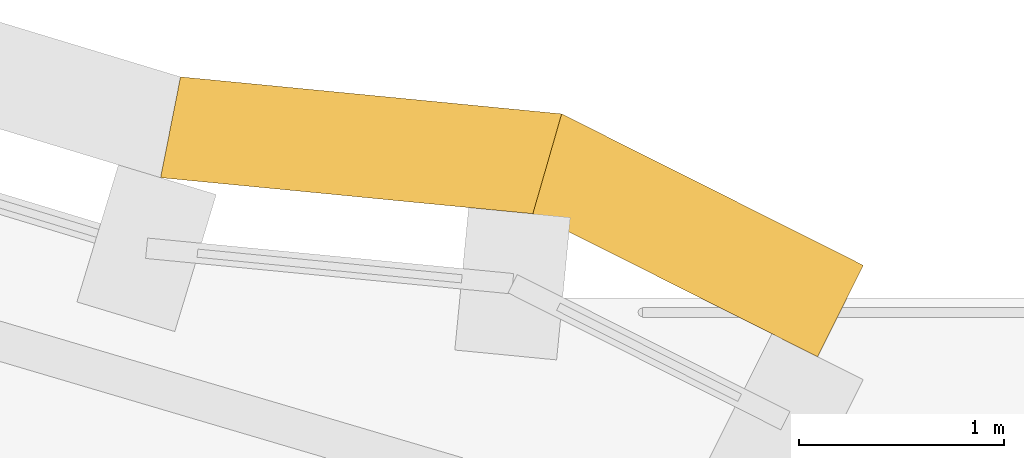
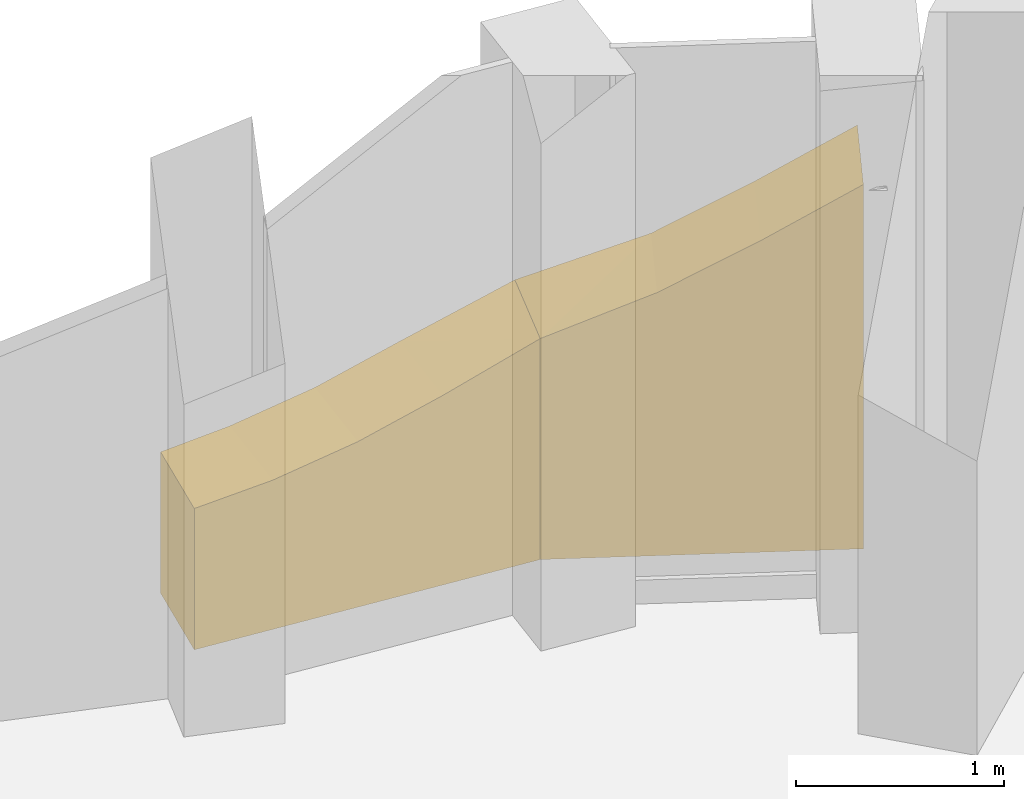
# One storey, part 9 of 9: 2 coverings.
"""IFC4 building model written with IfcOpenShell, lengths in metres."""

from ifc_helpers import new_model, si_unit, direction, frame, origin, place, context, subcontext, project, spatial, faceted_brep, material, layer, layer_set, type_object, element, save


model = new_model("IFC4")

# Units and contexts
model_context = context("Model", 3, precision=1e-05, world=origin(), true_north=direction((0.0, 1.0)))
body_context = subcontext(model_context, "Body", "Model", "MODEL_VIEW")
ifc_project = project(units=[si_unit("LENGTHUNIT", "METRE"), si_unit("AREAUNIT", "SQUARE_METRE"), si_unit("VOLUMEUNIT", "CUBIC_METRE"), si_unit("PLANEANGLEUNIT", "RADIAN"), si_unit("MASSUNIT", "GRAM", prefix="KILO")], contexts=[model_context])

# Site, building, storey
site_placement = place(None, origin())
site = spatial("IfcSite", under=ifc_project, at=site_placement, CompositionType="ELEMENT")
building_placement = place(site_placement, origin())
building = spatial("IfcBuilding", under=site, at=building_placement, Name="Plateau Cross Towers", CompositionType="ELEMENT")
storey_placement = place(building_placement, frame((0.0, 0.0, 287.89990234375)))
storey = spatial("IfcBuildingStorey", under=building, at=storey_placement, Name="L76 Crown 1", CompositionType="ELEMENT", Elevation=287.89990234375)

# Coverings
ifc_material = material(Name="Anodised aluminium fascia", Category="aluminium")
ifc_layer = layer(ifc_material, 0.5)
ifc_layer_set = layer_set([ifc_layer], Name="Anodised aluminium fascia")
covering_type = type_object("IfcCoveringType", Name="Crown fascia panel 500", PredefinedType="CLADDING", material=ifc_layer_set)
covering_1_placement = place(storey_placement, origin())
element("IfcCovering", 1, at=covering_1_placement, inside=storey, type_object=covering_type, Name="Crown fascia panel bottom", PredefinedType="CLADDING", context=body_context, shape_type="Brep", body=[
    faceted_brep([(43.78076171875, 16.106201171875, 0.0), (43.78076171875, 16.106201171875, 2.139892578125), (43.336181640625, 16.329345703125, 1.82861328125), (43.336181640625, 16.329345703125, 0.0), (44.005126953125, 16.552978515625, 0.0), (43.560302734375, 16.7763671875, 0.0), (43.560302734375, 16.7763671875, 1.82861328125), (44.005126953125, 16.552978515625, 2.139892578125), (42.891357421875, 16.552734375, 1.544921875), (42.891357421875, 16.552734375, 0.0), (43.11572265625, 16.99951171875, 0.0), (43.11572265625, 16.99951171875, 1.544921875), (42.388671875, 16.80517578125, 1.298095703125), (42.388671875, 16.80517578125, 0.0), (42.529541015625, 17.293701171875, 0.0), (42.529541015625, 17.293701171875, 1.298095703125)], [[[0, 1, 2, 3]], [[4, 5, 6, 7]], [[0, 3, 5, 4]], [[1, 7, 6, 2]], [[3, 2, 8, 9]], [[5, 10, 11, 6]], [[3, 9, 10, 5]], [[2, 6, 11, 8]], [[9, 8, 12, 13]], [[10, 14, 15, 11]], [[9, 13, 14, 10]], [[8, 11, 15, 12]], [[0, 4, 7, 1]], [[13, 12, 15, 14]]]),
])
covering_2_placement = place(storey_placement, origin())
element("IfcCovering", 2, at=covering_2_placement, inside=storey, type_object=covering_type, Name="Crown fascia panel bottom", PredefinedType="CLADDING", context=body_context, shape_type="Brep", body=[
    faceted_brep([(42.388671875, 16.80517578125, 0.0), (42.388671875, 16.80517578125, 1.298095703125), (41.876220703125, 16.854736328125, 1.11376953125), (41.876220703125, 16.854736328125, 0.0), (42.529541015625, 17.293701171875, 0.0), (41.924560546875, 17.3525390625, 0.0), (41.924560546875, 17.3525390625, 1.11376953125), (42.529541015625, 17.293701171875, 1.298095703125), (41.4287109375, 16.898193359375, 0.971923828125), (41.4287109375, 16.898193359375, 0.0), (41.47705078125, 17.39599609375, 0.0), (41.47705078125, 17.39599609375, 0.971923828125), (40.981201171875, 16.941650390625, 0.87646484375), (40.981201171875, 16.941650390625, 0.0), (41.029541015625, 17.439453125, 0.0), (41.029541015625, 17.439453125, 0.87646484375), (40.568359375, 16.981689453125, 0.829833984375), (40.568359375, 16.981689453125, 0.0), (40.665771484375, 17.474609375, 0.0), (40.665771484375, 17.474609375, 0.829833984375)], [[[0, 1, 2, 3]], [[4, 5, 6, 7]], [[0, 3, 5, 4]], [[1, 7, 6, 2]], [[3, 2, 8, 9]], [[5, 10, 11, 6]], [[3, 9, 10, 5]], [[2, 6, 11, 8]], [[9, 8, 12, 13]], [[10, 14, 15, 11]], [[9, 13, 14, 10]], [[8, 11, 15, 12]], [[13, 12, 16, 17]], [[14, 18, 19, 15]], [[13, 17, 18, 14]], [[12, 15, 19, 16]], [[0, 4, 7, 1]], [[17, 16, 19, 18]]]),
])

save(model, "model.ifc")
